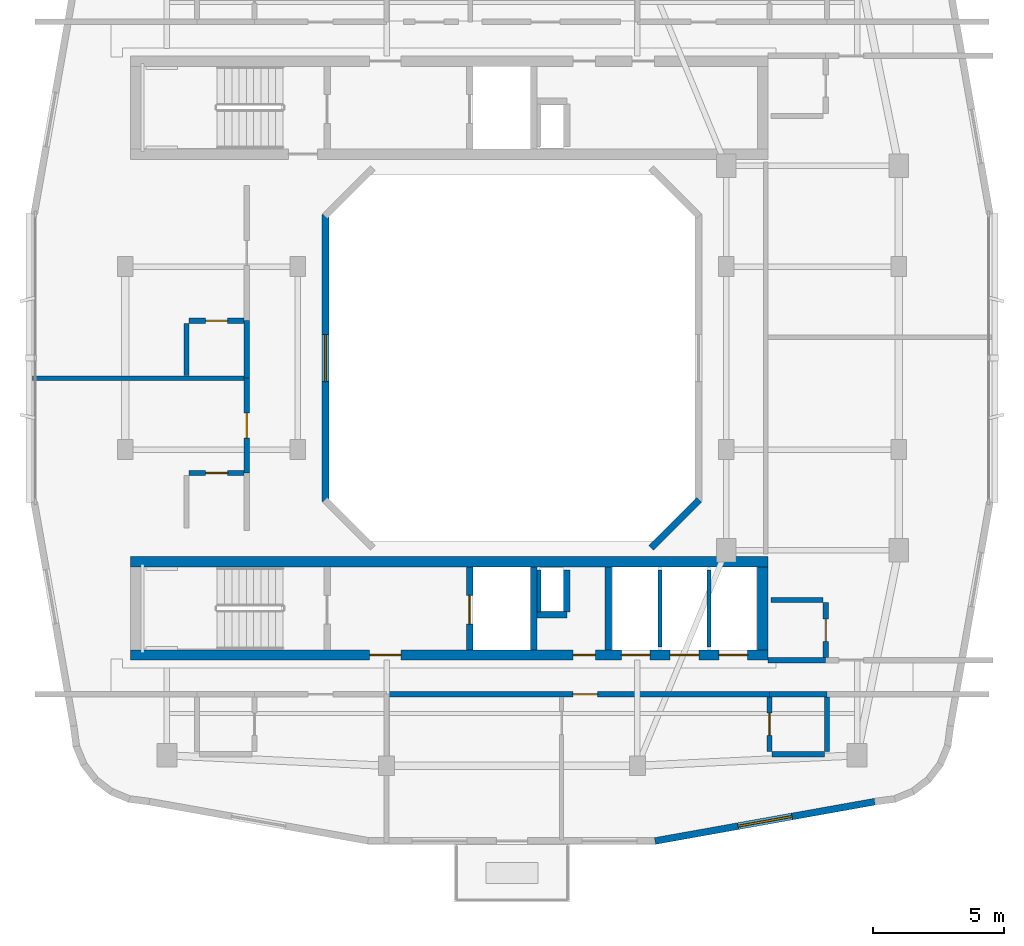
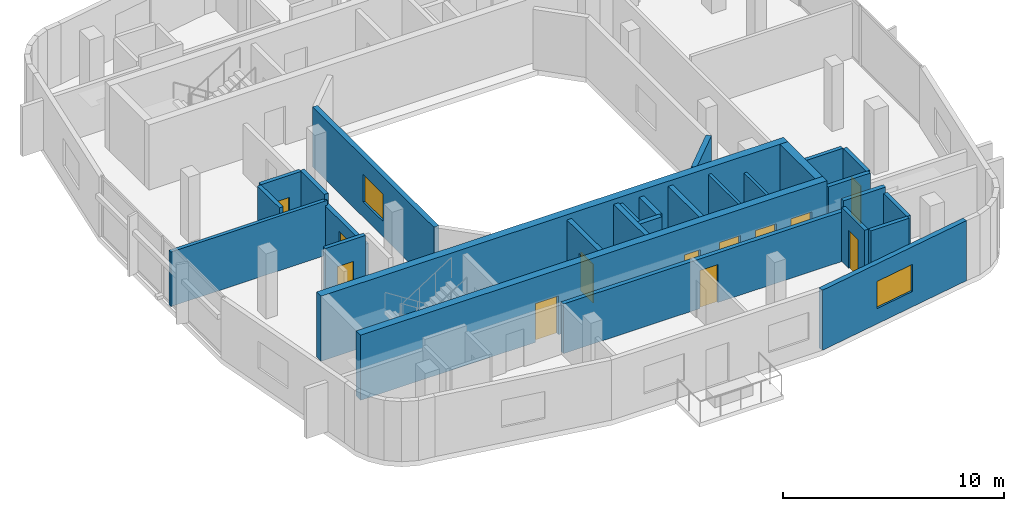
# One storey, part 4 of 10: 28 walls, 12 doors, 2 windows, 14 openings.
"""IFC4 building model written with IfcOpenShell, lengths in metres."""

from ifc_helpers import new_model, si_unit, derived_unit, direction, frame, frame_2d, origin, place, context, subcontext, project, spatial, rectangle, extrude, material, layer, layer_set, type_object, element, fill, save


model = new_model("IFC4")

# Units and contexts
model_context = context("Model", 3, precision=1e-05, world=origin(), true_north=direction((0.0, 1.0)))
body_context = subcontext(model_context, "Body", "Model", "MODEL_VIEW")
ifc_project = project(units=[si_unit("LENGTHUNIT", "METRE"), si_unit("AREAUNIT", "SQUARE_METRE"), si_unit("VOLUMEUNIT", "CUBIC_METRE"), si_unit("PLANEANGLEUNIT", "RADIAN"), si_unit("MASSUNIT", "GRAM", prefix="KILO"), derived_unit("THERMALTRANSMITTANCEUNIT", [(si_unit("POWERUNIT", "WATT"), 1), (si_unit("LENGTHUNIT", "METRE"), -2), (si_unit("THERMODYNAMICTEMPERATUREUNIT", "KELVIN"), -1)])], contexts=[model_context])

# Site, building, storey
site_placement = place(None, origin())
site = spatial("IfcSite", under=ifc_project, at=site_placement, CompositionType="ELEMENT")
building_placement = place(site_placement, origin())
building = spatial("IfcBuilding", under=site, at=building_placement, Name="Kivonza Crest Hotel", CompositionType="ELEMENT")
storey_placement = place(building_placement, frame((0.0, 0.0, 243.199951171875)))
storey = spatial("IfcBuildingStorey", under=building, at=storey_placement, Name="L66", CompositionType="ELEMENT", Elevation=243.199951171875)

# Walls
ifc_material_1 = material(Name="High-density acoustic masonry inter-tenancy wall", Category="masonry")
ifc_layer_1 = layer(ifc_material_1, 0.179931640625)
ifc_layer_set_1 = layer_set([ifc_layer_1], Name="High-density acoustic masonry inter-tenancy wall")
wall_type_1 = type_object("IfcWallType", Name="WL-ACOU-180", PredefinedType="SOLIDWALL", material=ifc_layer_set_1)
wall_1_placement = place(storey_placement, frame((2.659912109375, 24.22998046875, 0.0), z_axis=(0.0, 0.0, 1.0), x_axis=(1.0, 0.0, 0.0)))
element("IfcWall", 1, at=wall_1_placement, inside=storey, type_object=wall_type_1, Name="L66 interior partition WA-L66-T1W-DIV1", PredefinedType="SOLIDWALL", context=body_context, shape_type="SweptSolid", body=[
    extrude(rectangle(XDim=8.190185546875, YDim=0.179931640625, at=frame_2d((4.09521484375, 0.0))), origin(), (0.0, 0.0, 1.0), 3.01513671875),
])
ifc_material_2 = material(Name="Autoclaved aerated concrete blockwork", Category="masonry")
ifc_layer_2 = layer(ifc_material_2, 0.219970703125)
ifc_layer_set_2 = layer_set([ifc_layer_2], Name="Autoclaved aerated concrete blockwork")
wall_type_2 = type_object("IfcWallType", Name="WL-ACOU-220", PredefinedType="SOLIDWALL", material=ifc_layer_set_2)
wall_2_placement = place(storey_placement, frame((30.85009765625, 12.139892578125, 0.0), z_axis=(0.0, 0.0, 1.0), x_axis=(1.0, 0.0, 0.0)))
element("IfcWall", 2, at=wall_2_placement, inside=storey, type_object=wall_type_2, Name="L66 interior partition WA-L66-S04-BCORR", PredefinedType="SOLIDWALL", context=body_context, shape_type="SweptSolid", body=[
    extrude(rectangle(XDim=2.199951171875, YDim=0.219970703125, at=frame_2d((1.10009765625, 0.0))), origin(), (0.0, 0.0, 1.0), 3.320068359375),
])

# Wall, opening, door
wall_3_placement = place(storey_placement, frame((16.199951171875, 12.139892578125, 0.0), z_axis=(0.0, 0.0, 1.0), x_axis=(1.0, 0.0, 0.0)))
wall_3 = element("IfcWall", 3, at=wall_3_placement, inside=storey, type_object=wall_type_2, Name="L66 interior partition WA-L66-S04-MCORR", PredefinedType="SOLIDWALL", context=body_context, shape_type="SweptSolid", body=[
    extrude(rectangle(XDim=14.650146484375, YDim=0.219970703125, at=frame_2d((7.3251953125, 0.0))), origin(), (0.0, 0.0, 1.0), 2.7451171875),
])
opening_1_placement = place(wall_3_placement, frame((7.1298828125, 0.0, 0.0)))
opening_1 = element("IfcOpeningElement", 4, at=opening_1_placement, cuts=wall_3, Name="Opening DU-60", PredefinedType="OPENING", context=body_context, shape_type="SweptSolid", body=[
    extrude(rectangle(XDim=0.949951171875, YDim=2.10009765625, at=frame_2d((0.47509765625, 1.050048828125))), frame((0.0, 0.1201171875, 0.0), z_axis=(0.0, -1.0, 0.0), x_axis=(1.0, 0.0, 0.0)), (0.0, 0.0, 1.0), 0.239990234375),
])
ifc_material_3 = material(Name="Hardwood timber oak", Category="wood")
door_type_1 = type_object("IfcDoorType", Name="DR-UNIT-950", OperationType="NOTDEFINED", PredefinedType="DOOR", material=ifc_material_3)
door_1_placement = place(opening_1_placement, frame((0.949951171875, 0.0, 0.0), z_axis=(0.0, 0.0, 1.0), x_axis=(-1.0, 0.0, 0.0)))
door_1 = element("IfcDoor", 5, at=door_1_placement, inside=storey, type_object=door_type_1, Name="L66 S04 guest unit entrance fire door", OperationType="SINGLE_SWING_RIGHT", OverallHeight=2.10009765625, OverallWidth=0.949951171875, PredefinedType="DOOR", context=body_context, shape_type="SweptSolid", body=[
    extrude(rectangle(XDim=0.949951171875, YDim=2.10009765625, at=frame_2d((0.47509765625, 1.050048828125))), frame((0.0, 0.02490234375, 0.0), z_axis=(0.0, -1.0, 0.0), x_axis=(1.0, 0.0, 0.0)), (0.0, 0.0, 1.0), 0.050048828125),
])
fill(opening_1, door_1)

wall_4_placement = place(storey_placement, frame((10.85009765625, 20.60009765625, 0.0), z_axis=(0.0, 0.0, 1.0), x_axis=(0.0, 1.0, 0.0)))
wall_4 = element("IfcWall", 6, at=wall_4_placement, inside=storey, type_object=wall_type_2, Name="L66 interior partition WA-L66-W05-MCORR", PredefinedType="SOLIDWALL", context=body_context, shape_type="SweptSolid", body=[
    extrude(rectangle(XDim=3.6298828125, YDim=0.219970703125, at=frame_2d((1.81494140625, 0.0))), origin(), (0.0, 0.0, 1.0), 2.7451171875),
])
opening_2_placement = place(wall_4_placement, frame((1.340087890625, 0.0, 0.0)))
opening_2 = element("IfcOpeningElement", 7, at=opening_2_placement, cuts=wall_4, Name="Opening DU-60", PredefinedType="OPENING", context=body_context, shape_type="SweptSolid", body=[
    extrude(rectangle(XDim=0.949951171875, YDim=2.10009765625, at=frame_2d((0.47509765625, 1.050048828125))), frame((0.0, 0.1201171875, 0.0), z_axis=(0.0, -1.0, 0.0), x_axis=(1.0, 0.0, 0.0)), (0.0, 0.0, 1.0), 0.239990234375),
])
door_2_placement = place(opening_2_placement, origin())
door_2 = element("IfcDoor", 8, at=door_2_placement, inside=storey, type_object=door_type_1, Name="L66 W05 guest unit entrance fire door", OperationType="SINGLE_SWING_LEFT", OverallHeight=2.10009765625, OverallWidth=0.949951171875, PredefinedType="DOOR", context=body_context, shape_type="SweptSolid", body=[
    extrude(rectangle(XDim=0.949951171875, YDim=2.10009765625, at=frame_2d((0.47509765625, 1.050048828125))), frame((0.0, 0.02490234375, 0.0), z_axis=(0.0, -1.0, 0.0), x_axis=(1.0, 0.0, 0.0)), (0.0, 0.0, 1.0), 0.050048828125),
])
fill(opening_2, door_2)

# Walls
for number, where, z_axis, x_axis, name in (
    (9, (10.85009765625, 24.22998046875, 0.0), (0.0, 0.0, 1.0), (0.0, 1.0, 0.0), "L66 interior partition WA-L66-W06-BCORR"),
    (10, (30.800048828125, 13.43994140625, 0.0), (0.0, 0.0, 1.0), (1.0, 0.0, 0.0), "L66 interior partition WA-L66-ES07-BCORR"),
):
    element("IfcWall", number, at=place(storey_placement, frame(where, z_axis=z_axis, x_axis=x_axis)), inside=storey, type_object=wall_type_2, Name=name, PredefinedType="SOLIDWALL", context=body_context, shape_type="SweptSolid", body=[
        extrude(rectangle(XDim=2.199951171875, YDim=0.219970703125, at=frame_2d((1.10009765625, 0.0))), origin(), (0.0, 0.0, 1.0), 3.320068359375),
    ])

# Wall, openings, doors
ifc_material_4 = material(Name="Concrete C50/60", Category="concrete")
ifc_layer_3 = layer(ifc_material_4, 0.39990234375)
ifc_layer_set_3 = layer_set([ifc_layer_3], Name="Concrete C50/60")
wall_type_3 = type_object("IfcWallType", Name="WL-CORE-400", PredefinedType="SHEAR", material=ifc_layer_set_3)
wall_5_placement = place(storey_placement, frame((6.39990234375, 13.639892578125, 0.0), z_axis=(0.0, 0.0, 1.0), x_axis=(1.0, 0.0, 0.0)))
wall_5 = element("IfcWall", 11, at=wall_5_placement, inside=storey, type_object=wall_type_3, Name="Core wall T1-S South L66", PredefinedType="SHEAR", context=body_context, shape_type="SweptSolid", body=[
    extrude(rectangle(XDim=24.400146484375, YDim=0.39990234375, at=frame_2d((12.2001953125, 0.0))), origin(), (0.0, 0.0, 1.0), 3.60009765625),
])
opening_3_placement = place(wall_5_placement, frame((9.14990234375, 0.0, 0.0)))
opening_3 = element("IfcOpeningElement", 12, at=opening_3_placement, cuts=wall_5, Name="Opening DF-60", PredefinedType="OPENING", context=body_context, shape_type="SweptSolid", body=[
    extrude(rectangle(XDim=1.199951171875, YDim=2.14990234375, at=frame_2d((0.60009765625, 1.074951171875))), frame((0.0, 0.2099609375, 0.0), z_axis=(0.0, -1.0, 0.0), x_axis=(1.0, 0.0, 0.0)), (0.0, 0.0, 1.0), 0.419921875),
])
opening_4_placement = place(wall_5_placement, frame((16.93994140625, 0.0, 0.0)))
opening_4 = element("IfcOpeningElement", 13, at=opening_4_placement, cuts=wall_5, Name="Opening DF-60R", PredefinedType="OPENING", context=body_context, shape_type="SweptSolid", body=[
    extrude(rectangle(XDim=0.85009765625, YDim=2.10009765625, at=frame_2d((0.425048828125, 1.050048828125))), frame((0.0, 0.2099609375, 0.0), z_axis=(0.0, -1.0, 0.0), x_axis=(1.0, 0.0, 0.0)), (0.0, 0.0, 1.0), 0.419921875),
])
opening_5_placement = place(wall_5_placement, frame((18.782958984375, 0.0, 0.0)))
opening_5 = element("IfcOpeningElement", 14, at=opening_5_placement, cuts=wall_5, Name="Opening LD-120", PredefinedType="OPENING", context=body_context, shape_type="SweptSolid", body=[
    extrude(rectangle(XDim=1.10009765625, YDim=2.14990234375, at=frame_2d((0.550048828125, 1.074951171875))), frame((0.0, 0.2099609375, 0.0), z_axis=(0.0, -1.0, 0.0), x_axis=(1.0, 0.0, 0.0)), (0.0, 0.0, 1.0), 0.419921875),
])
opening_6_placement = place(wall_5_placement, frame((20.64990234375, 0.0, 0.0)))
opening_6 = element("IfcOpeningElement", 15, at=opening_6_placement, cuts=wall_5, Name="Opening LD-120", PredefinedType="OPENING", context=body_context, shape_type="SweptSolid", body=[
    extrude(rectangle(XDim=1.10009765625, YDim=2.14990234375, at=frame_2d((0.550048828125, 1.074951171875))), frame((0.0, 0.2099609375, 0.0), z_axis=(0.0, -1.0, 0.0), x_axis=(1.0, 0.0, 0.0)), (0.0, 0.0, 1.0), 0.419921875),
])
opening_7_placement = place(wall_5_placement, frame((22.51708984375, 0.0, 0.0)))
opening_7 = element("IfcOpeningElement", 16, at=opening_7_placement, cuts=wall_5, Name="Opening LD-120", PredefinedType="OPENING", context=body_context, shape_type="SweptSolid", body=[
    extrude(rectangle(XDim=1.10009765625, YDim=2.14990234375, at=frame_2d((0.550048828125, 1.074951171875))), frame((0.0, 0.2099609375, 0.0), z_axis=(0.0, -1.0, 0.0), x_axis=(1.0, 0.0, 0.0)), (0.0, 0.0, 1.0), 0.419921875),
])
door_type_2 = type_object("IfcDoorType", Name="DR-FD60-1200", OperationType="NOTDEFINED", PredefinedType="DOOR", material=ifc_material_3)
door_3_placement = place(opening_3_placement, frame((1.199951171875, 0.0, 0.0), z_axis=(0.0, 0.0, 1.0), x_axis=(-1.0, 0.0, 0.0)))
door_3 = element("IfcDoor", 17, at=door_3_placement, inside=storey, type_object=door_type_2, Name="L66 T1-S firefighting lobby fire door", OperationType="SINGLE_SWING_LEFT", OverallHeight=2.14990234375, OverallWidth=1.199951171875, PredefinedType="DOOR", context=body_context, shape_type="SweptSolid", body=[
    extrude(rectangle(XDim=1.199951171875, YDim=2.14990234375, at=frame_2d((0.60009765625, 1.074951171875))), frame((0.0, 0.02490234375, 0.0), z_axis=(0.0, -1.0, 0.0), x_axis=(1.0, 0.0, 0.0)), (0.0, 0.0, 1.0), 0.050048828125),
])
fill(opening_3, door_3)
door_type_3 = type_object("IfcDoorType", Name="DR-FD60-850", OperationType="NOTDEFINED", PredefinedType="DOOR", material=ifc_material_3)
door_4_placement = place(opening_4_placement, frame((0.85009765625, 0.0, 0.0), z_axis=(0.0, 0.0, 1.0), x_axis=(-1.0, 0.0, 0.0)))
door_4 = element("IfcDoor", 18, at=door_4_placement, inside=storey, type_object=door_type_3, Name="L66 T1-S core room door", OperationType="SINGLE_SWING_RIGHT", OverallHeight=2.10009765625, OverallWidth=0.85009765625, PredefinedType="DOOR", context=body_context, shape_type="SweptSolid", body=[
    extrude(rectangle(XDim=0.85009765625, YDim=2.10009765625, at=frame_2d((0.425048828125, 1.050048828125))), frame((0.0, 0.02490234375, 0.0), z_axis=(0.0, -1.0, 0.0), x_axis=(1.0, 0.0, 0.0)), (0.0, 0.0, 1.0), 0.050048828125),
])
fill(opening_4, door_4)
ifc_material_5 = material(Name="Stainless steel", Category="steel")
door_type_4 = type_object("IfcDoorType", Name="DR-LD120-1100", OperationType="NOTDEFINED", PredefinedType="DOOR", material=ifc_material_5)
door_5_placement = place(opening_5_placement, frame((1.10009765625, 0.0, 0.0), z_axis=(0.0, 0.0, 1.0), x_axis=(-1.0, 0.0, 0.0)))
door_5 = element("IfcDoor", 19, at=door_5_placement, inside=storey, type_object=door_type_4, Name="L66 PL-T1-H1 passenger lift sliding landing door", OperationType="DOUBLE_DOOR_SLIDING", OverallHeight=2.14990234375, OverallWidth=1.10009765625, PredefinedType="DOOR", context=body_context, shape_type="SweptSolid", body=[
    extrude(rectangle(XDim=1.10009765625, YDim=2.14990234375, at=frame_2d((0.550048828125, 1.074951171875))), frame((0.0, 0.02490234375, 0.0), z_axis=(0.0, -1.0, 0.0), x_axis=(1.0, 0.0, 0.0)), (0.0, 0.0, 1.0), 0.050048828125),
])
fill(opening_5, door_5)
door_6_placement = place(opening_6_placement, frame((1.10009765625, 0.0, 0.0), z_axis=(0.0, 0.0, 1.0), x_axis=(-1.0, 0.0, 0.0)))
door_6 = element("IfcDoor", 20, at=door_6_placement, inside=storey, type_object=door_type_4, Name="L66 PL-T1-H2 passenger lift sliding landing door", OperationType="DOUBLE_DOOR_SLIDING", OverallHeight=2.14990234375, OverallWidth=1.10009765625, PredefinedType="DOOR", context=body_context, shape_type="SweptSolid", body=[
    extrude(rectangle(XDim=1.10009765625, YDim=2.14990234375, at=frame_2d((0.550048828125, 1.074951171875))), frame((0.0, 0.02490234375, 0.0), z_axis=(0.0, -1.0, 0.0), x_axis=(1.0, 0.0, 0.0)), (0.0, 0.0, 1.0), 0.050048828125),
])
fill(opening_6, door_6)
door_7_placement = place(opening_7_placement, frame((1.10009765625, 0.0, 0.0), z_axis=(0.0, 0.0, 1.0), x_axis=(-1.0, 0.0, 0.0)))
door_7 = element("IfcDoor", 21, at=door_7_placement, inside=storey, type_object=door_type_4, Name="L66 PL-T1-H3 passenger lift sliding landing door", OperationType="DOUBLE_DOOR_SLIDING", OverallHeight=2.14990234375, OverallWidth=1.10009765625, PredefinedType="DOOR", context=body_context, shape_type="SweptSolid", body=[
    extrude(rectangle(XDim=1.10009765625, YDim=2.14990234375, at=frame_2d((0.550048828125, 1.074951171875))), frame((0.0, 0.02490234375, 0.0), z_axis=(0.0, -1.0, 0.0), x_axis=(1.0, 0.0, 0.0)), (0.0, 0.0, 1.0), 0.050048828125),
])
fill(opening_7, door_7)

# Walls
wall_6_placement = place(storey_placement, frame((6.39990234375, 17.199951171875, 0.0), z_axis=(0.0, 0.0, 1.0), x_axis=(1.0, 0.0, 0.0)))
element("IfcWall", 22, at=wall_6_placement, inside=storey, type_object=wall_type_3, Name="Core wall T1-S North L66", PredefinedType="SHEAR", context=body_context, shape_type="SweptSolid", body=[
    extrude(rectangle(XDim=24.400146484375, YDim=0.39990234375, at=frame_2d((12.2001953125, 0.0))), origin(), (0.0, 0.0, 1.0), 3.60009765625),
])
wall_7_placement = place(storey_placement, frame((30.60009765625, 13.840087890625, 0.0), z_axis=(0.0, 0.0, 1.0), x_axis=(0.0, 1.0, 0.0)))
element("IfcWall", 23, at=wall_7_placement, inside=storey, type_object=wall_type_3, Name="Core wall T1-S East L66", PredefinedType="SHEAR", context=body_context, shape_type="SweptSolid", body=[
    extrude(rectangle(XDim=3.159912109375, YDim=0.39990234375, at=frame_2d((1.580078125, 0.0))), origin(), (0.0, 0.0, 1.0), 3.60009765625),
])

# Wall, opening, window
ifc_material_6 = material(Name="Precast concrete C40/50", Category="concrete")
ifc_layer_4 = layer(ifc_material_6, 0.260009765625)
ifc_layer_set_4 = layer_set([ifc_layer_4], Name="Precast concrete C40/50")
wall_type_4 = type_object("IfcWallType", Name="WL-EXT-260", PredefinedType="STANDARD", material=ifc_layer_set_4)
wall_8_placement = place(storey_placement, frame((26.471923828125, 6.52392578125, 0.0), z_axis=(0.0, 0.0, 1.0), x_axis=(0.98437102902, 0.176107005047, 0.0)))
wall_8 = element("IfcWall", 24, at=wall_8_placement, inside=storey, type_object=wall_type_4, Name="L66 T1 exterior insulated wall 9", PredefinedType="STANDARD", context=body_context, shape_type="SweptSolid", body=[
    extrude(rectangle(XDim=8.546630859375, YDim=0.260009765625, at=frame_2d((4.2734375, 0.0))), origin(), (0.0, 0.0, 1.0), 3.320068359375),
])
opening_8_placement = place(wall_8_placement, frame((3.222900390625, 0.0, 0.85009765625)))
opening_8 = element("IfcOpeningElement", 25, at=opening_8_placement, cuts=wall_8, Name="Opening WN-04", PredefinedType="OPENING", context=body_context, shape_type="SweptSolid", body=[
    extrude(rectangle(XDim=2.10009765625, YDim=1.5, at=frame_2d((1.050048828125, 0.75))), frame((0.0, 0.14013671875, 0.0), z_axis=(0.0, -1.0, 0.0), x_axis=(1.0, 0.0, 0.0)), (0.0, 0.0, 1.0), 0.280029296875),
])
ifc_material_7 = material(Name="Thermally broken bronze aluminium and low-E double glazing", Category="aluminium")
window_type_1 = type_object("IfcWindowType", Name="WN-210x150", PartitioningType="DOUBLE_PANEL_VERTICAL", PredefinedType="WINDOW", material=ifc_material_7)
window_1_placement = place(opening_8_placement, origin())
window_1 = element("IfcWindow", 26, at=window_1_placement, inside=storey, type_object=window_type_1, Name="L66 T1 facade window 9", OverallHeight=1.5, OverallWidth=2.10009765625, PartitioningType="SINGLE_PANEL", PredefinedType="WINDOW", context=body_context, shape_type="SweptSolid", body=[
    extrude(rectangle(XDim=2.10009765625, YDim=1.5, at=frame_2d((1.050048828125, 0.75))), frame((0.0, 0.030029296875, 0.0), z_axis=(0.0, -1.0, 0.0), x_axis=(1.0, 0.0, 0.0)), (0.0, 0.0, 1.0), 0.06005859375),
])
fill(opening_8, window_1)

# Wall
wall_9_placement = place(storey_placement, frame((26.322021484375, 17.738037109375, 0.0), z_axis=(0.0, 0.0, 1.0), x_axis=(0.707106781187, 0.707106781187, 0.0)))
element("IfcWall", 27, at=wall_9_placement, inside=storey, type_object=wall_type_4, Name="L66 T1 light-well exterior wall 2", PredefinedType="STANDARD", context=body_context, shape_type="SweptSolid", body=[
    extrude(rectangle(XDim=2.59375, YDim=0.260009765625, at=frame_2d((1.296875, 0.0))), origin(), (0.0, 0.0, 1.0), 3.320068359375),
])

# Wall, opening, window
wall_10_placement = place(storey_placement, frame((13.8701171875, 30.489990234375, 0.0), z_axis=(0.0, 0.0, 1.0), x_axis=(0.0, -1.0, 0.0)))
wall_10 = element("IfcWall", 28, at=wall_10_placement, inside=storey, type_object=wall_type_4, Name="L66 T1 light-well exterior wall 7", PredefinedType="STANDARD", context=body_context, shape_type="SweptSolid", body=[
    extrude(rectangle(XDim=10.97998046875, YDim=0.260009765625, at=frame_2d((5.489990234375, 0.0))), origin(), (0.0, 0.0, 1.0), 3.320068359375),
])
opening_9_placement = place(wall_10_placement, frame((4.590087890625, 0.0, 0.85009765625)))
opening_9 = element("IfcOpeningElement", 29, at=opening_9_placement, cuts=wall_10, Name="Opening WN-03", PredefinedType="OPENING", context=body_context, shape_type="SweptSolid", body=[
    extrude(rectangle(XDim=1.800048828125, YDim=1.5, at=frame_2d((0.89990234375, 0.75))), frame((0.0, 0.14013671875, 0.0), z_axis=(0.0, -1.0, 0.0), x_axis=(1.0, 0.0, 0.0)), (0.0, 0.0, 1.0), 0.280029296875),
])
window_type_2 = type_object("IfcWindowType", Name="WN-180x150", PartitioningType="DOUBLE_PANEL_VERTICAL", PredefinedType="WINDOW", material=ifc_material_7)
window_2_placement = place(opening_9_placement, origin())
window_2 = element("IfcWindow", 30, at=window_2_placement, inside=storey, type_object=window_type_2, Name="L66 T1 light-well window 7", OverallHeight=1.5, OverallWidth=1.800048828125, PartitioningType="SINGLE_PANEL", PredefinedType="WINDOW", context=body_context, shape_type="SweptSolid", body=[
    extrude(rectangle(XDim=1.800048828125, YDim=1.5, at=frame_2d((0.89990234375, 0.75))), frame((0.0, 0.030029296875, 0.0), z_axis=(0.0, -1.0, 0.0), x_axis=(1.0, 0.0, 0.0)), (0.0, 0.0, 1.0), 0.06005859375),
])
fill(opening_9, window_2)

# Walls
ifc_material_8 = material(Name="Concrete blockwork fire-compartment wall", Category="masonry")
ifc_layer_5 = layer(ifc_material_8, 0.25)
ifc_layer_set_5 = layer_set([ifc_layer_5], Name="Concrete blockwork fire-compartment wall")
wall_type_5 = type_object("IfcWallType", Name="WL-FIRE-250", PredefinedType="SOLIDWALL", material=ifc_layer_set_5)
wall_11_placement = place(storey_placement, frame((23.10009765625, 15.280029296875, 0.0), z_axis=(0.0, 0.0, 1.0), x_axis=(0.0, 1.0, 0.0)))
element("IfcWall", 31, at=wall_11_placement, inside=storey, type_object=wall_type_5, Name="L66 interior partition WA-L66-T1-S-MEPR-E", PredefinedType="SOLIDWALL", context=body_context, shape_type="SweptSolid", body=[
    extrude(rectangle(XDim=1.619873046875, YDim=0.25, at=frame_2d((0.81005859375, 0.0))), origin(), (0.0, 0.0, 1.0), 3.320068359375),
])
wall_12_placement = place(storey_placement, frame((21.949951171875, 15.179931640625, 0.0), z_axis=(0.0, 0.0, 1.0), x_axis=(1.0, 0.0, 0.0)))
element("IfcWall", 32, at=wall_12_placement, inside=storey, type_object=wall_type_5, Name="L66 interior partition WA-L66-T1-S-MEPR-H", PredefinedType="SOLIDWALL", context=body_context, shape_type="SweptSolid", body=[
    extrude(rectangle(XDim=1.150146484375, YDim=0.25, at=frame_2d((0.5751953125, 0.0))), origin(), (0.0, 0.0, 1.0), 3.320068359375),
])
ifc_material_9 = material(Name="Twin-stud acoustic gypsum board partition", Category="gypsum")
ifc_layer_6 = layer(ifc_material_9, 0.14990234375)
ifc_layer_set_6 = layer_set([ifc_layer_6], Name="Twin-stud acoustic gypsum board partition")
wall_type_6 = type_object("IfcWallType", Name="WL-PART-150", PredefinedType="PARTITIONING", material=ifc_layer_set_6)
wall_13_placement = place(storey_placement, frame((22.030029296875, 15.280029296875, 0.0), z_axis=(0.0, 0.0, 1.0), x_axis=(0.0, 1.0, 0.0)))
element("IfcWall", 33, at=wall_13_placement, inside=storey, type_object=wall_type_6, Name="L66 interior partition WA-L66-T1-S-MEPR-W", PredefinedType="PARTITIONING", context=body_context, shape_type="SweptSolid", body=[
    extrude(rectangle(XDim=1.619873046875, YDim=0.14990234375, at=frame_2d((0.81005859375, 0.0))), origin(), (0.0, 0.0, 1.0), 3.320068359375),
])
wall_14_placement = place(storey_placement, frame((26.6669921875, 13.93994140625, 0.0), z_axis=(0.0, 0.0, 1.0), x_axis=(0.0, 1.0, 0.0)))
element("IfcWall", 34, at=wall_14_placement, inside=storey, type_object=wall_type_6, Name="L66 interior partition WP-L66-T1-S-BSH-1", PredefinedType="PARTITIONING", context=body_context, shape_type="SweptSolid", body=[
    extrude(rectangle(XDim=2.9599609375, YDim=0.14990234375, at=frame_2d((1.47998046875, 0.0))), origin(), (0.0, 0.0, 1.0), 3.320068359375),
])
wall_15_placement = place(storey_placement, frame((28.532958984375, 13.93994140625, 0.0), z_axis=(0.0, 0.0, 1.0), x_axis=(0.0, 1.0, 0.0)))
element("IfcWall", 35, at=wall_15_placement, inside=storey, type_object=wall_type_6, Name="L66 interior partition WP-L66-T1-S-BSH-2", PredefinedType="PARTITIONING", context=body_context, shape_type="SweptSolid", body=[
    extrude(rectangle(XDim=2.9599609375, YDim=0.14990234375, at=frame_2d((1.47998046875, 0.0))), origin(), (0.0, 0.0, 1.0), 2.7451171875),
])

# Wall, opening, door
ifc_material_10 = material(Name="Moisture-resistant plumbing chase partition wall", Category="gypsum")
ifc_layer_7 = layer(ifc_material_10, 0.199951171875)
ifc_layer_set_7 = layer_set([ifc_layer_7], Name="Moisture-resistant plumbing chase partition wall")
wall_type_7 = type_object("IfcWallType", Name="WL-PLUMB-200", PredefinedType="PLUMBINGWALL", material=ifc_layer_set_7)
wall_16_placement = place(storey_placement, frame((30.85009765625, 9.93994140625, 0.0), z_axis=(0.0, 0.0, 1.0), x_axis=(0.0, 1.0, 0.0)))
wall_16 = element("IfcWall", 36, at=wall_16_placement, inside=storey, type_object=wall_type_7, Name="L66 interior partition WW-L66-S04-BV", PredefinedType="PLUMBINGWALL", context=body_context, shape_type="SweptSolid", body=[
    extrude(rectangle(XDim=2.10009765625, YDim=0.199951171875, at=frame_2d((1.050048828125, 0.0))), origin(), (0.0, 0.0, 1.0), 2.9951171875),
])
opening_10_placement = place(wall_16_placement, frame((0.625, 0.0, 0.0)))
opening_10 = element("IfcOpeningElement", 37, at=opening_10_placement, cuts=wall_16, Name="Opening DI-85", PredefinedType="OPENING", context=body_context, shape_type="SweptSolid", body=[
    extrude(rectangle(XDim=0.85009765625, YDim=2.10009765625, at=frame_2d((0.425048828125, 1.050048828125))), frame((0.0, 0.10986328125, 0.0), z_axis=(0.0, -1.0, 0.0), x_axis=(1.0, 0.0, 0.0)), (0.0, 0.0, 1.0), 0.219970703125),
])
door_type_5 = type_object("IfcDoorType", Name="DR-INT-850", OperationType="NOTDEFINED", PredefinedType="DOOR", material=ifc_material_3)
door_8_placement = place(opening_10_placement, origin())
door_8 = element("IfcDoor", 38, at=door_8_placement, inside=storey, type_object=door_type_5, Name="L66 S04 en-suite bathroom door", OperationType="SINGLE_SWING_LEFT", OverallHeight=2.10009765625, OverallWidth=0.85009765625, PredefinedType="DOOR", context=body_context, shape_type="SweptSolid", body=[
    extrude(rectangle(XDim=0.85009765625, YDim=2.10009765625, at=frame_2d((0.425048828125, 1.050048828125))), frame((0.0, 0.02490234375, 0.0), z_axis=(0.0, -1.0, 0.0), x_axis=(1.0, 0.0, 0.0)), (0.0, 0.0, 1.0), 0.050048828125),
])
fill(opening_10, door_8)

# Walls
wall_17_placement = place(storey_placement, frame((30.949951171875, 9.840087890625, 0.0), z_axis=(0.0, 0.0, 1.0), x_axis=(1.0, 0.0, 0.0)))
element("IfcWall", 39, at=wall_17_placement, inside=storey, type_object=wall_type_7, Name="L66 interior partition WW-L66-S04-BH", PredefinedType="PLUMBINGWALL", context=body_context, shape_type="SweptSolid", body=[
    extrude(rectangle(XDim=2.0, YDim=0.199951171875, at=frame_2d((1.0, 0.0))), origin(), (0.0, 0.0, 1.0), 3.01513671875),
])
wall_18_placement = place(storey_placement, frame((33.050048828125, 9.93994140625, 0.0), z_axis=(0.0, 0.0, 1.0), x_axis=(0.0, 1.0, 0.0)))
element("IfcWall", 40, at=wall_18_placement, inside=storey, type_object=wall_type_7, Name="L66 interior partition WW-L66-S04-BVE", PredefinedType="PLUMBINGWALL", context=body_context, shape_type="SweptSolid", body=[
    extrude(rectangle(XDim=2.10009765625, YDim=0.199951171875, at=frame_2d((1.050048828125, 0.0))), origin(), (0.0, 0.0, 1.0), 2.9951171875),
])

# Wall, opening, door
wall_19_placement = place(storey_placement, frame((8.64990234375, 20.60009765625, 0.0), z_axis=(0.0, 0.0, 1.0), x_axis=(1.0, 0.0, 0.0)))
wall_19 = element("IfcWall", 41, at=wall_19_placement, inside=storey, type_object=wall_type_7, Name="L66 interior partition WW-L66-W05-BH", PredefinedType="PLUMBINGWALL", context=body_context, shape_type="SweptSolid", body=[
    extrude(rectangle(XDim=2.10009765625, YDim=0.199951171875, at=frame_2d((1.050048828125, 0.0))), origin(), (0.0, 0.0, 1.0), 3.320068359375),
])
opening_11_placement = place(wall_19_placement, frame((0.625, 0.0, 0.0)))
opening_11 = element("IfcOpeningElement", 42, at=opening_11_placement, cuts=wall_19, Name="Opening DI-85", PredefinedType="OPENING", context=body_context, shape_type="SweptSolid", body=[
    extrude(rectangle(XDim=0.85009765625, YDim=2.10009765625, at=frame_2d((0.425048828125, 1.050048828125))), frame((0.0, 0.10986328125, 0.0), z_axis=(0.0, -1.0, 0.0), x_axis=(1.0, 0.0, 0.0)), (0.0, 0.0, 1.0), 0.219970703125),
])
door_9_placement = place(opening_11_placement, origin())
door_9 = element("IfcDoor", 43, at=door_9_placement, inside=storey, type_object=door_type_5, Name="L66 W05 en-suite bathroom door", OperationType="SINGLE_SWING_RIGHT", OverallHeight=2.10009765625, OverallWidth=0.85009765625, PredefinedType="DOOR", context=body_context, shape_type="SweptSolid", body=[
    extrude(rectangle(XDim=0.85009765625, YDim=2.10009765625, at=frame_2d((0.425048828125, 1.050048828125))), frame((0.0, 0.02490234375, 0.0), z_axis=(0.0, -1.0, 0.0), x_axis=(1.0, 0.0, 0.0)), (0.0, 0.0, 1.0), 0.050048828125),
])
fill(opening_11, door_9)

wall_20_placement = place(storey_placement, frame((8.64990234375, 26.429931640625, 0.0), z_axis=(0.0, 0.0, 1.0), x_axis=(1.0, 0.0, 0.0)))
wall_20 = element("IfcWall", 44, at=wall_20_placement, inside=storey, type_object=wall_type_7, Name="L66 interior partition WW-L66-W06-BH", PredefinedType="PLUMBINGWALL", context=body_context, shape_type="SweptSolid", body=[
    extrude(rectangle(XDim=2.10009765625, YDim=0.199951171875, at=frame_2d((1.050048828125, 0.0))), origin(), (0.0, 0.0, 1.0), 3.320068359375),
])
opening_12_placement = place(wall_20_placement, frame((0.625, 0.0, 0.0)))
opening_12 = element("IfcOpeningElement", 45, at=opening_12_placement, cuts=wall_20, Name="Opening DI-85", PredefinedType="OPENING", context=body_context, shape_type="SweptSolid", body=[
    extrude(rectangle(XDim=0.85009765625, YDim=2.10009765625, at=frame_2d((0.425048828125, 1.050048828125))), frame((0.0, 0.10986328125, 0.0), z_axis=(0.0, -1.0, 0.0), x_axis=(1.0, 0.0, 0.0)), (0.0, 0.0, 1.0), 0.219970703125),
])
door_10_placement = place(opening_12_placement, origin())
door_10 = element("IfcDoor", 46, at=door_10_placement, inside=storey, type_object=door_type_5, Name="L66 W06 en-suite bathroom door", OperationType="SINGLE_SWING_LEFT", OverallHeight=2.10009765625, OverallWidth=0.85009765625, PredefinedType="DOOR", context=body_context, shape_type="SweptSolid", body=[
    extrude(rectangle(XDim=0.85009765625, YDim=2.10009765625, at=frame_2d((0.425048828125, 1.050048828125))), frame((0.0, 0.02490234375, 0.0), z_axis=(0.0, -1.0, 0.0), x_axis=(1.0, 0.0, 0.0)), (0.0, 0.0, 1.0), 0.050048828125),
])
fill(opening_12, door_10)

# Wall
wall_21_placement = place(storey_placement, frame((8.550048828125, 24.330078125, 0.0), z_axis=(0.0, 0.0, 1.0), x_axis=(0.0, 1.0, 0.0)))
element("IfcWall", 47, at=wall_21_placement, inside=storey, type_object=wall_type_7, Name="L66 interior partition WW-L66-W06-BV", PredefinedType="PLUMBINGWALL", context=body_context, shape_type="SweptSolid", body=[
    extrude(rectangle(XDim=2.0, YDim=0.199951171875, at=frame_2d((1.0, 0.0))), origin(), (0.0, 0.0, 1.0), 3.320068359375),
])

# Wall, opening, door
wall_22_placement = place(storey_placement, frame((33.0, 13.5400390625, 0.0), z_axis=(0.0, 0.0, 1.0), x_axis=(0.0, 1.0, 0.0)))
wall_22 = element("IfcWall", 48, at=wall_22_placement, inside=storey, type_object=wall_type_7, Name="L66 interior partition WW-L66-ES07-BV", PredefinedType="PLUMBINGWALL", context=body_context, shape_type="SweptSolid", body=[
    extrude(rectangle(XDim=2.099853515625, YDim=0.199951171875, at=frame_2d((1.0498046875, 0.0))), origin(), (0.0, 0.0, 1.0), 3.320068359375),
])
opening_13_placement = place(wall_22_placement, frame((0.625, 0.0, 0.0)))
opening_13 = element("IfcOpeningElement", 49, at=opening_13_placement, cuts=wall_22, Name="Opening DI-85", PredefinedType="OPENING", context=body_context, shape_type="SweptSolid", body=[
    extrude(rectangle(XDim=0.85009765625, YDim=2.10009765625, at=frame_2d((0.425048828125, 1.050048828125))), frame((0.0, 0.10986328125, 0.0), z_axis=(0.0, -1.0, 0.0), x_axis=(1.0, 0.0, 0.0)), (0.0, 0.0, 1.0), 0.219970703125),
])
door_11_placement = place(opening_13_placement, frame((0.85009765625, 0.0, 0.0), z_axis=(0.0, 0.0, 1.0), x_axis=(-1.0, 0.0, 0.0)))
door_11 = element("IfcDoor", 50, at=door_11_placement, inside=storey, type_object=door_type_5, Name="L66 ES07 en-suite bathroom door", OperationType="SINGLE_SWING_LEFT", OverallHeight=2.10009765625, OverallWidth=0.85009765625, PredefinedType="DOOR", context=body_context, shape_type="SweptSolid", body=[
    extrude(rectangle(XDim=0.85009765625, YDim=2.10009765625, at=frame_2d((0.425048828125, 1.050048828125))), frame((0.0, 0.02490234375, 0.0), z_axis=(0.0, -1.0, 0.0), x_axis=(1.0, 0.0, 0.0)), (0.0, 0.0, 1.0), 0.050048828125),
])
fill(opening_13, door_11)

# Wall
wall_23_placement = place(storey_placement, frame((30.89990234375, 15.739990234375, 0.0), z_axis=(0.0, 0.0, 1.0), x_axis=(1.0, 0.0, 0.0)))
element("IfcWall", 51, at=wall_23_placement, inside=storey, type_object=wall_type_7, Name="L66 interior partition WW-L66-ES07-BH", PredefinedType="PLUMBINGWALL", context=body_context, shape_type="SweptSolid", body=[
    extrude(rectangle(XDim=2.0, YDim=0.199951171875, at=frame_2d((1.0, 0.0))), origin(), (0.0, 0.0, 1.0), 3.320068359375),
])

# Wall, opening, door
ifc_layer_8 = layer(ifc_material_4, 0.25)
ifc_layer_set_8 = layer_set([ifc_layer_8], Name="Concrete C50/60")
wall_type_8 = type_object("IfcWallType", Name="WL-SHAFT-250", PredefinedType="STANDARD", material=ifc_layer_set_8)
wall_24_placement = place(storey_placement, frame((19.375, 13.840087890625, 0.0), z_axis=(0.0, 0.0, 1.0), x_axis=(0.0, 1.0, 0.0)))
wall_24 = element("IfcWall", 52, at=wall_24_placement, inside=storey, type_object=wall_type_8, Name="Core shaft wall T1-S FFL-W L66", PredefinedType="STANDARD", context=body_context, shape_type="SweptSolid", body=[
    extrude(rectangle(XDim=3.159912109375, YDim=0.25, at=frame_2d((1.580078125, 0.0))), origin(), (0.0, 0.0, 1.0), 3.320068359375),
])
opening_14_placement = place(wall_24_placement, frame((0.97998046875, 0.0, 0.0)))
opening_14 = element("IfcOpeningElement", 53, at=opening_14_placement, cuts=wall_24, Name="Opening LD-120", PredefinedType="OPENING", context=body_context, shape_type="SweptSolid", body=[
    extrude(rectangle(XDim=1.10009765625, YDim=2.14990234375, at=frame_2d((0.550048828125, 1.074951171875))), frame((0.0, 0.135009765625, 0.0), z_axis=(0.0, -1.0, 0.0), x_axis=(1.0, 0.0, 0.0)), (0.0, 0.0, 1.0), 0.27001953125),
])
door_12_placement = place(opening_14_placement, origin())
door_12 = element("IfcDoor", 54, at=door_12_placement, inside=storey, type_object=door_type_4, Name="L66 FFL-T1-S firefighting lift sliding landing door", OperationType="DOUBLE_DOOR_SLIDING", OverallHeight=2.14990234375, OverallWidth=1.10009765625, PredefinedType="DOOR", context=body_context, shape_type="SweptSolid", body=[
    extrude(rectangle(XDim=1.10009765625, YDim=2.14990234375, at=frame_2d((0.550048828125, 1.074951171875))), frame((0.0, 0.02490234375, 0.0), z_axis=(0.0, -1.0, 0.0), x_axis=(1.0, 0.0, 0.0)), (0.0, 0.0, 1.0), 0.050048828125),
])
fill(opening_14, door_12)

# Walls
for number, where, z_axis, x_axis, name in (
    (55, (21.824951171875, 13.840087890625, 0.0), (0.0, 0.0, 1.0), (0.0, 1.0, 0.0), "Core shaft wall T1-S FFL-E L66"),
    (56, (24.675048828125, 13.840087890625, 0.0), (0.0, 0.0, 1.0), (0.0, 1.0, 0.0), "Core shaft wall T1-S BANK-W L66"),
):
    element("IfcWall", number, at=place(storey_placement, frame(where, z_axis=z_axis, x_axis=x_axis)), inside=storey, type_object=wall_type_8, Name=name, PredefinedType="STANDARD", context=body_context, shape_type="SweptSolid", body=[
        extrude(rectangle(XDim=3.159912109375, YDim=0.25, at=frame_2d((1.580078125, 0.0))), origin(), (0.0, 0.0, 1.0), 3.320068359375),
    ])

save(model, "model.ifc")
